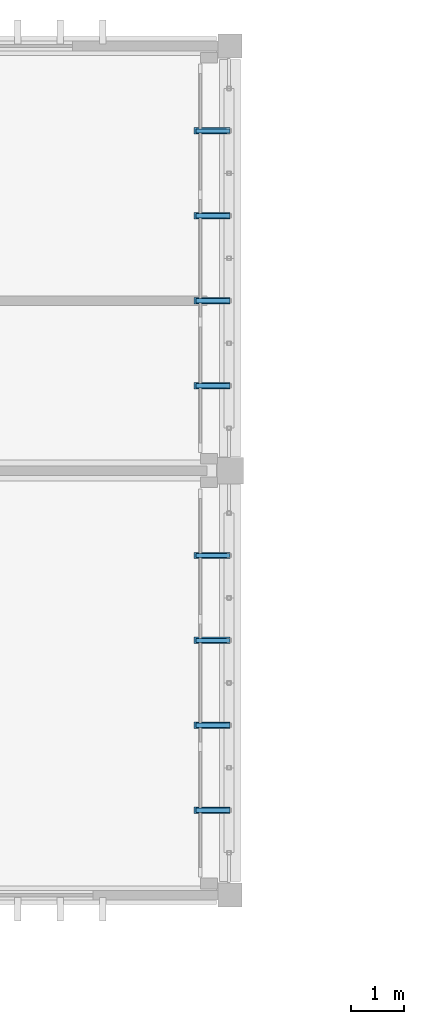
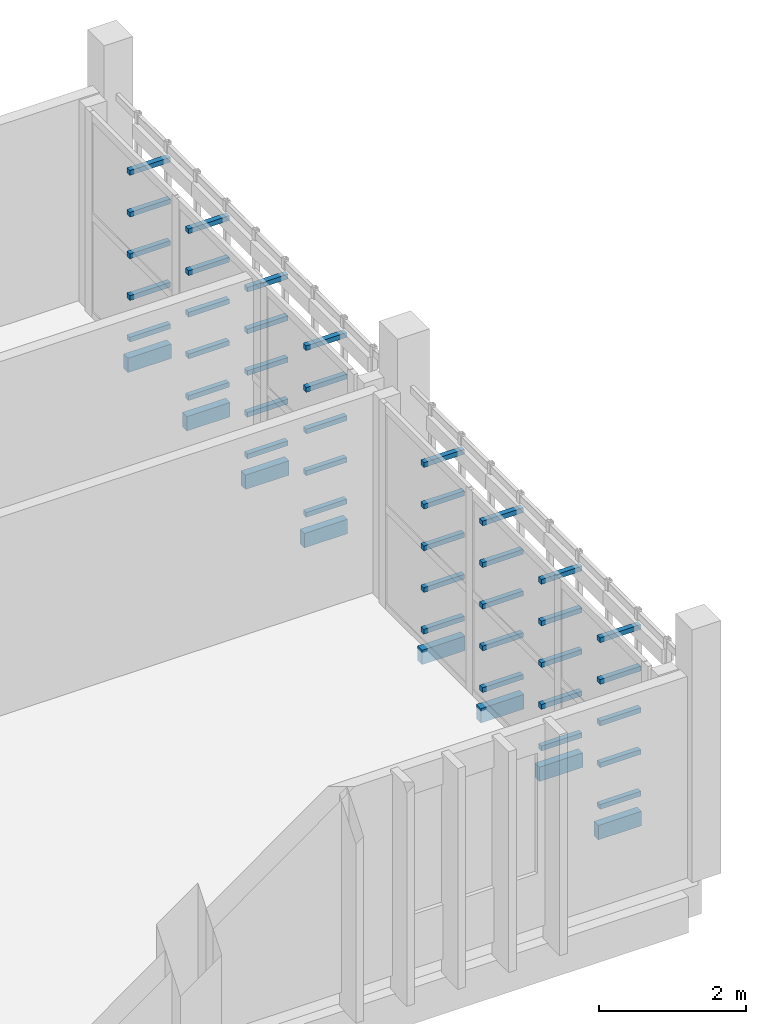
# One storey, part 58 of 63: 48 discrete accessories.
"""IFC4 building model written with IfcOpenShell, lengths in metres."""

from ifc_helpers import new_model, si_unit, direction, frame, origin, origin_2d, place, context, subcontext, project, spatial, rectangle, extrude, material, type_object, element, save


model = new_model("IFC4")

# Units and contexts
model_context = context("Model", 3, precision=1e-05, world=origin(), true_north=direction((0.0, 1.0)))
body_context = subcontext(model_context, "Body", "Model", "MODEL_VIEW")
ifc_project = project(units=[si_unit("LENGTHUNIT", "METRE"), si_unit("AREAUNIT", "SQUARE_METRE"), si_unit("VOLUMEUNIT", "CUBIC_METRE"), si_unit("PLANEANGLEUNIT", "RADIAN"), si_unit("MASSUNIT", "GRAM", prefix="KILO")], contexts=[model_context])

# Site, building, storey
site_placement = place(None, origin())
site = spatial("IfcSite", under=ifc_project, at=site_placement, CompositionType="ELEMENT")
building_placement = place(site_placement, origin())
building = spatial("IfcBuilding", under=site, at=building_placement, Name="Jelvoka-Kovrelna Polytechnic", CompositionType="ELEMENT")
storey_placement = place(building_placement, frame((0.0, 0.0, 18.0)))
storey = spatial("IfcBuildingStorey", under=building, at=storey_placement, Name="L05", CompositionType="ELEMENT", Elevation=18.0)

# Discrete accessories
ifc_material = material(Name="Structural steel S355JR", Category="steel")
discrete_accessory_type = type_object("IfcDiscreteAccessoryType", Name="Bracket_Outrigger_S355", PredefinedType="BRACKET", material=ifc_material)
discrete_accessory_1_placement = place(storey_placement, frame((191.679931640625, 57.60009765625, 0.280029296875), z_axis=(0.0, 0.0, 1.0), x_axis=(1.0, 0.0, 0.0)))
element("IfcDiscreteAccessory", 1, at=discrete_accessory_1_placement, inside=storey, type_object=discrete_accessory_type, Name="L05 screen outrigger tie bracket BRKM-PLT-SCR-1121", PredefinedType="BRACKET", context=body_context, shape_type="SweptSolid", body=[
    extrude(rectangle(XDim=0.639892578125, YDim=0.080078125, at=origin_2d()), origin(), (0.0, 0.0, 1.0), 0.080078125),
])
discrete_accessory_2_placement = place(storey_placement, frame((191.659912109375, 57.60009765625, -0.2001953125), z_axis=(0.0, 0.0, 1.0), x_axis=(1.0, 0.0, 0.0)))
element("IfcDiscreteAccessory", 2, at=discrete_accessory_2_placement, inside=storey, type_object=discrete_accessory_type, Name="L05 screen outrigger tie bracket BRK-PLT-SCR-1121", PredefinedType="BRACKET", context=body_context, shape_type="SweptSolid", body=[
    extrude(rectangle(XDim=0.679931640625, YDim=0.1201171875, at=origin_2d()), origin(), (0.0, 0.0, 1.0), 0.239990234375),
])
for number, where, z_axis, x_axis, name in (
    (3, (191.679931640625, 57.60009765625, 0.972412109375), (0.0, 0.0, 1.0), (1.0, 0.0, 0.0), "L05 screen outrigger tie bracket BRKM-PLT-SCR-1122"),
    (4, (191.679931640625, 57.60009765625, 1.6650390625), (0.0, 0.0, 1.0), (1.0, 0.0, 0.0), "L05 screen outrigger tie bracket BRKM-PLT-SCR-1123"),
    (5, (191.679931640625, 57.60009765625, 2.357421875), (0.0, 0.0, 1.0), (1.0, 0.0, 0.0), "L05 screen outrigger tie bracket BRKM-PLT-SCR-1124"),
    (6, (191.679931640625, 57.60009765625, 3.050048828125), (0.0, 0.0, 1.0), (1.0, 0.0, 0.0), "L05 screen outrigger tie bracket BRKM-PLT-SCR-1125"),
    (7, (191.679931640625, 59.199951171875, 0.280029296875), (0.0, 0.0, 1.0), (1.0, 0.0, 0.0), "L05 screen outrigger tie bracket BRKM-PLT-SCR-1126"),
):
    element("IfcDiscreteAccessory", number, at=place(storey_placement, frame(where, z_axis=z_axis, x_axis=x_axis)), inside=storey, type_object=discrete_accessory_type, Name=name, PredefinedType="BRACKET", context=body_context, shape_type="SweptSolid", body=[
        extrude(rectangle(XDim=0.639892578125, YDim=0.080078125, at=origin_2d()), origin(), (0.0, 0.0, 1.0), 0.080078125),
    ])
discrete_accessory_3_placement = place(storey_placement, frame((191.659912109375, 59.199951171875, -0.2001953125), z_axis=(0.0, 0.0, 1.0), x_axis=(1.0, 0.0, 0.0)))
element("IfcDiscreteAccessory", 8, at=discrete_accessory_3_placement, inside=storey, type_object=discrete_accessory_type, Name="L05 screen outrigger tie bracket BRK-PLT-SCR-1126", PredefinedType="BRACKET", context=body_context, shape_type="SweptSolid", body=[
    extrude(rectangle(XDim=0.679931640625, YDim=0.1201171875, at=origin_2d()), origin(), (0.0, 0.0, 1.0), 0.239990234375),
])
for number, where, z_axis, x_axis, name in (
    (9, (191.679931640625, 59.199951171875, 0.972412109375), (0.0, 0.0, 1.0), (1.0, 0.0, 0.0), "L05 screen outrigger tie bracket BRKM-PLT-SCR-1127"),
    (10, (191.679931640625, 59.199951171875, 1.6650390625), (0.0, 0.0, 1.0), (1.0, 0.0, 0.0), "L05 screen outrigger tie bracket BRKM-PLT-SCR-1128"),
    (11, (191.679931640625, 59.199951171875, 2.357421875), (0.0, 0.0, 1.0), (1.0, 0.0, 0.0), "L05 screen outrigger tie bracket BRKM-PLT-SCR-1129"),
    (12, (191.679931640625, 59.199951171875, 3.050048828125), (0.0, 0.0, 1.0), (1.0, 0.0, 0.0), "L05 screen outrigger tie bracket BRKM-PLT-SCR-1130"),
    (13, (191.679931640625, 60.800048828125, 0.280029296875), (0.0, 0.0, 1.0), (1.0, 0.0, 0.0), "L05 screen outrigger tie bracket BRKM-PLT-SCR-1131"),
):
    element("IfcDiscreteAccessory", number, at=place(storey_placement, frame(where, z_axis=z_axis, x_axis=x_axis)), inside=storey, type_object=discrete_accessory_type, Name=name, PredefinedType="BRACKET", context=body_context, shape_type="SweptSolid", body=[
        extrude(rectangle(XDim=0.639892578125, YDim=0.080078125, at=origin_2d()), origin(), (0.0, 0.0, 1.0), 0.080078125),
    ])
discrete_accessory_4_placement = place(storey_placement, frame((191.659912109375, 60.800048828125, -0.2001953125), z_axis=(0.0, 0.0, 1.0), x_axis=(1.0, 0.0, 0.0)))
element("IfcDiscreteAccessory", 14, at=discrete_accessory_4_placement, inside=storey, type_object=discrete_accessory_type, Name="L05 screen outrigger tie bracket BRK-PLT-SCR-1131", PredefinedType="BRACKET", context=body_context, shape_type="SweptSolid", body=[
    extrude(rectangle(XDim=0.679931640625, YDim=0.1201171875, at=origin_2d()), origin(), (0.0, 0.0, 1.0), 0.239990234375),
])
for number, where, z_axis, x_axis, name in (
    (15, (191.679931640625, 60.800048828125, 0.972412109375), (0.0, 0.0, 1.0), (1.0, 0.0, 0.0), "L05 screen outrigger tie bracket BRKM-PLT-SCR-1132"),
    (16, (191.679931640625, 60.800048828125, 1.6650390625), (0.0, 0.0, 1.0), (1.0, 0.0, 0.0), "L05 screen outrigger tie bracket BRKM-PLT-SCR-1133"),
    (17, (191.679931640625, 60.800048828125, 2.357421875), (0.0, 0.0, 1.0), (1.0, 0.0, 0.0), "L05 screen outrigger tie bracket BRKM-PLT-SCR-1134"),
    (18, (191.679931640625, 60.800048828125, 3.050048828125), (0.0, 0.0, 1.0), (1.0, 0.0, 0.0), "L05 screen outrigger tie bracket BRKM-PLT-SCR-1135"),
    (19, (191.679931640625, 62.39990234375, 0.280029296875), (0.0, 0.0, 1.0), (1.0, 0.0, 0.0), "L05 screen outrigger tie bracket BRKM-PLT-SCR-1136"),
):
    element("IfcDiscreteAccessory", number, at=place(storey_placement, frame(where, z_axis=z_axis, x_axis=x_axis)), inside=storey, type_object=discrete_accessory_type, Name=name, PredefinedType="BRACKET", context=body_context, shape_type="SweptSolid", body=[
        extrude(rectangle(XDim=0.639892578125, YDim=0.080078125, at=origin_2d()), origin(), (0.0, 0.0, 1.0), 0.080078125),
    ])
discrete_accessory_5_placement = place(storey_placement, frame((191.659912109375, 62.39990234375, -0.2001953125), z_axis=(0.0, 0.0, 1.0), x_axis=(1.0, 0.0, 0.0)))
element("IfcDiscreteAccessory", 20, at=discrete_accessory_5_placement, inside=storey, type_object=discrete_accessory_type, Name="L05 screen outrigger tie bracket BRK-PLT-SCR-1136", PredefinedType="BRACKET", context=body_context, shape_type="SweptSolid", body=[
    extrude(rectangle(XDim=0.679931640625, YDim=0.1201171875, at=origin_2d()), origin(), (0.0, 0.0, 1.0), 0.239990234375),
])
for number, where, z_axis, x_axis, name in (
    (21, (191.679931640625, 62.39990234375, 0.972412109375), (0.0, 0.0, 1.0), (1.0, 0.0, 0.0), "L05 screen outrigger tie bracket BRKM-PLT-SCR-1137"),
    (22, (191.679931640625, 62.39990234375, 1.6650390625), (0.0, 0.0, 1.0), (1.0, 0.0, 0.0), "L05 screen outrigger tie bracket BRKM-PLT-SCR-1138"),
    (23, (191.679931640625, 62.39990234375, 2.357421875), (0.0, 0.0, 1.0), (1.0, 0.0, 0.0), "L05 screen outrigger tie bracket BRKM-PLT-SCR-1139"),
    (24, (191.679931640625, 62.39990234375, 3.050048828125), (0.0, 0.0, 1.0), (1.0, 0.0, 0.0), "L05 screen outrigger tie bracket BRKM-PLT-SCR-1140"),
    (25, (191.679931640625, 65.60009765625, 0.280029296875), (0.0, 0.0, 1.0), (1.0, 0.0, 0.0), "L05 screen outrigger tie bracket BRKM-PLT-SCR-1141"),
):
    element("IfcDiscreteAccessory", number, at=place(storey_placement, frame(where, z_axis=z_axis, x_axis=x_axis)), inside=storey, type_object=discrete_accessory_type, Name=name, PredefinedType="BRACKET", context=body_context, shape_type="SweptSolid", body=[
        extrude(rectangle(XDim=0.639892578125, YDim=0.080078125, at=origin_2d()), origin(), (0.0, 0.0, 1.0), 0.080078125),
    ])
discrete_accessory_6_placement = place(storey_placement, frame((191.659912109375, 65.60009765625, -0.2001953125), z_axis=(0.0, 0.0, 1.0), x_axis=(1.0, 0.0, 0.0)))
element("IfcDiscreteAccessory", 26, at=discrete_accessory_6_placement, inside=storey, type_object=discrete_accessory_type, Name="L05 screen outrigger tie bracket BRK-PLT-SCR-1141", PredefinedType="BRACKET", context=body_context, shape_type="SweptSolid", body=[
    extrude(rectangle(XDim=0.679931640625, YDim=0.1201171875, at=origin_2d()), origin(), (0.0, 0.0, 1.0), 0.239990234375),
])
for number, where, z_axis, x_axis, name in (
    (27, (191.679931640625, 65.60009765625, 0.972412109375), (0.0, 0.0, 1.0), (1.0, 0.0, 0.0), "L05 screen outrigger tie bracket BRKM-PLT-SCR-1142"),
    (28, (191.679931640625, 65.60009765625, 1.6650390625), (0.0, 0.0, 1.0), (1.0, 0.0, 0.0), "L05 screen outrigger tie bracket BRKM-PLT-SCR-1143"),
    (29, (191.679931640625, 65.60009765625, 2.357421875), (0.0, 0.0, 1.0), (1.0, 0.0, 0.0), "L05 screen outrigger tie bracket BRKM-PLT-SCR-1144"),
    (30, (191.679931640625, 65.60009765625, 3.050048828125), (0.0, 0.0, 1.0), (1.0, 0.0, 0.0), "L05 screen outrigger tie bracket BRKM-PLT-SCR-1145"),
    (31, (191.679931640625, 67.199951171875, 0.280029296875), (0.0, 0.0, 1.0), (1.0, 0.0, 0.0), "L05 screen outrigger tie bracket BRKM-PLT-SCR-1146"),
):
    element("IfcDiscreteAccessory", number, at=place(storey_placement, frame(where, z_axis=z_axis, x_axis=x_axis)), inside=storey, type_object=discrete_accessory_type, Name=name, PredefinedType="BRACKET", context=body_context, shape_type="SweptSolid", body=[
        extrude(rectangle(XDim=0.639892578125, YDim=0.080078125, at=origin_2d()), origin(), (0.0, 0.0, 1.0), 0.080078125),
    ])
discrete_accessory_7_placement = place(storey_placement, frame((191.659912109375, 67.199951171875, -0.2001953125), z_axis=(0.0, 0.0, 1.0), x_axis=(1.0, 0.0, 0.0)))
element("IfcDiscreteAccessory", 32, at=discrete_accessory_7_placement, inside=storey, type_object=discrete_accessory_type, Name="L05 screen outrigger tie bracket BRK-PLT-SCR-1146", PredefinedType="BRACKET", context=body_context, shape_type="SweptSolid", body=[
    extrude(rectangle(XDim=0.679931640625, YDim=0.1201171875, at=origin_2d()), origin(), (0.0, 0.0, 1.0), 0.239990234375),
])
for number, where, z_axis, x_axis, name in (
    (33, (191.679931640625, 67.199951171875, 0.972412109375), (0.0, 0.0, 1.0), (1.0, 0.0, 0.0), "L05 screen outrigger tie bracket BRKM-PLT-SCR-1147"),
    (34, (191.679931640625, 67.199951171875, 1.6650390625), (0.0, 0.0, 1.0), (1.0, 0.0, 0.0), "L05 screen outrigger tie bracket BRKM-PLT-SCR-1148"),
    (35, (191.679931640625, 67.199951171875, 2.357421875), (0.0, 0.0, 1.0), (1.0, 0.0, 0.0), "L05 screen outrigger tie bracket BRKM-PLT-SCR-1149"),
    (36, (191.679931640625, 67.199951171875, 3.050048828125), (0.0, 0.0, 1.0), (1.0, 0.0, 0.0), "L05 screen outrigger tie bracket BRKM-PLT-SCR-1150"),
    (37, (191.679931640625, 68.800048828125, 0.280029296875), (0.0, 0.0, 1.0), (1.0, 0.0, 0.0), "L05 screen outrigger tie bracket BRKM-PLT-SCR-1151"),
):
    element("IfcDiscreteAccessory", number, at=place(storey_placement, frame(where, z_axis=z_axis, x_axis=x_axis)), inside=storey, type_object=discrete_accessory_type, Name=name, PredefinedType="BRACKET", context=body_context, shape_type="SweptSolid", body=[
        extrude(rectangle(XDim=0.639892578125, YDim=0.080078125, at=origin_2d()), origin(), (0.0, 0.0, 1.0), 0.080078125),
    ])
discrete_accessory_8_placement = place(storey_placement, frame((191.659912109375, 68.800048828125, -0.2001953125), z_axis=(0.0, 0.0, 1.0), x_axis=(1.0, 0.0, 0.0)))
element("IfcDiscreteAccessory", 38, at=discrete_accessory_8_placement, inside=storey, type_object=discrete_accessory_type, Name="L05 screen outrigger tie bracket BRK-PLT-SCR-1151", PredefinedType="BRACKET", context=body_context, shape_type="SweptSolid", body=[
    extrude(rectangle(XDim=0.679931640625, YDim=0.1201171875, at=origin_2d()), origin(), (0.0, 0.0, 1.0), 0.239990234375),
])
for number, where, z_axis, x_axis, name in (
    (39, (191.679931640625, 68.800048828125, 0.972412109375), (0.0, 0.0, 1.0), (1.0, 0.0, 0.0), "L05 screen outrigger tie bracket BRKM-PLT-SCR-1152"),
    (40, (191.679931640625, 68.800048828125, 1.6650390625), (0.0, 0.0, 1.0), (1.0, 0.0, 0.0), "L05 screen outrigger tie bracket BRKM-PLT-SCR-1153"),
    (41, (191.679931640625, 68.800048828125, 2.357421875), (0.0, 0.0, 1.0), (1.0, 0.0, 0.0), "L05 screen outrigger tie bracket BRKM-PLT-SCR-1154"),
    (42, (191.679931640625, 68.800048828125, 3.050048828125), (0.0, 0.0, 1.0), (1.0, 0.0, 0.0), "L05 screen outrigger tie bracket BRKM-PLT-SCR-1155"),
    (43, (191.679931640625, 70.39990234375, 0.280029296875), (0.0, 0.0, 1.0), (1.0, 0.0, 0.0), "L05 screen outrigger tie bracket BRKM-PLT-SCR-1156"),
):
    element("IfcDiscreteAccessory", number, at=place(storey_placement, frame(where, z_axis=z_axis, x_axis=x_axis)), inside=storey, type_object=discrete_accessory_type, Name=name, PredefinedType="BRACKET", context=body_context, shape_type="SweptSolid", body=[
        extrude(rectangle(XDim=0.639892578125, YDim=0.080078125, at=origin_2d()), origin(), (0.0, 0.0, 1.0), 0.080078125),
    ])
discrete_accessory_9_placement = place(storey_placement, frame((191.659912109375, 70.39990234375, -0.2001953125), z_axis=(0.0, 0.0, 1.0), x_axis=(1.0, 0.0, 0.0)))
element("IfcDiscreteAccessory", 44, at=discrete_accessory_9_placement, inside=storey, type_object=discrete_accessory_type, Name="L05 screen outrigger tie bracket BRK-PLT-SCR-1156", PredefinedType="BRACKET", context=body_context, shape_type="SweptSolid", body=[
    extrude(rectangle(XDim=0.679931640625, YDim=0.1201171875, at=origin_2d()), origin(), (0.0, 0.0, 1.0), 0.239990234375),
])
for number, where, z_axis, x_axis, name in (
    (45, (191.679931640625, 70.39990234375, 0.972412109375), (0.0, 0.0, 1.0), (1.0, 0.0, 0.0), "L05 screen outrigger tie bracket BRKM-PLT-SCR-1157"),
    (46, (191.679931640625, 70.39990234375, 1.6650390625), (0.0, 0.0, 1.0), (1.0, 0.0, 0.0), "L05 screen outrigger tie bracket BRKM-PLT-SCR-1158"),
    (47, (191.679931640625, 70.39990234375, 2.357421875), (0.0, 0.0, 1.0), (1.0, 0.0, 0.0), "L05 screen outrigger tie bracket BRKM-PLT-SCR-1159"),
    (48, (191.679931640625, 70.39990234375, 3.050048828125), (0.0, 0.0, 1.0), (1.0, 0.0, 0.0), "L05 screen outrigger tie bracket BRKM-PLT-SCR-1160"),
):
    element("IfcDiscreteAccessory", number, at=place(storey_placement, frame(where, z_axis=z_axis, x_axis=x_axis)), inside=storey, type_object=discrete_accessory_type, Name=name, PredefinedType="BRACKET", context=body_context, shape_type="SweptSolid", body=[
        extrude(rectangle(XDim=0.639892578125, YDim=0.080078125, at=origin_2d()), origin(), (0.0, 0.0, 1.0), 0.080078125),
    ])

save(model, "model.ifc")
